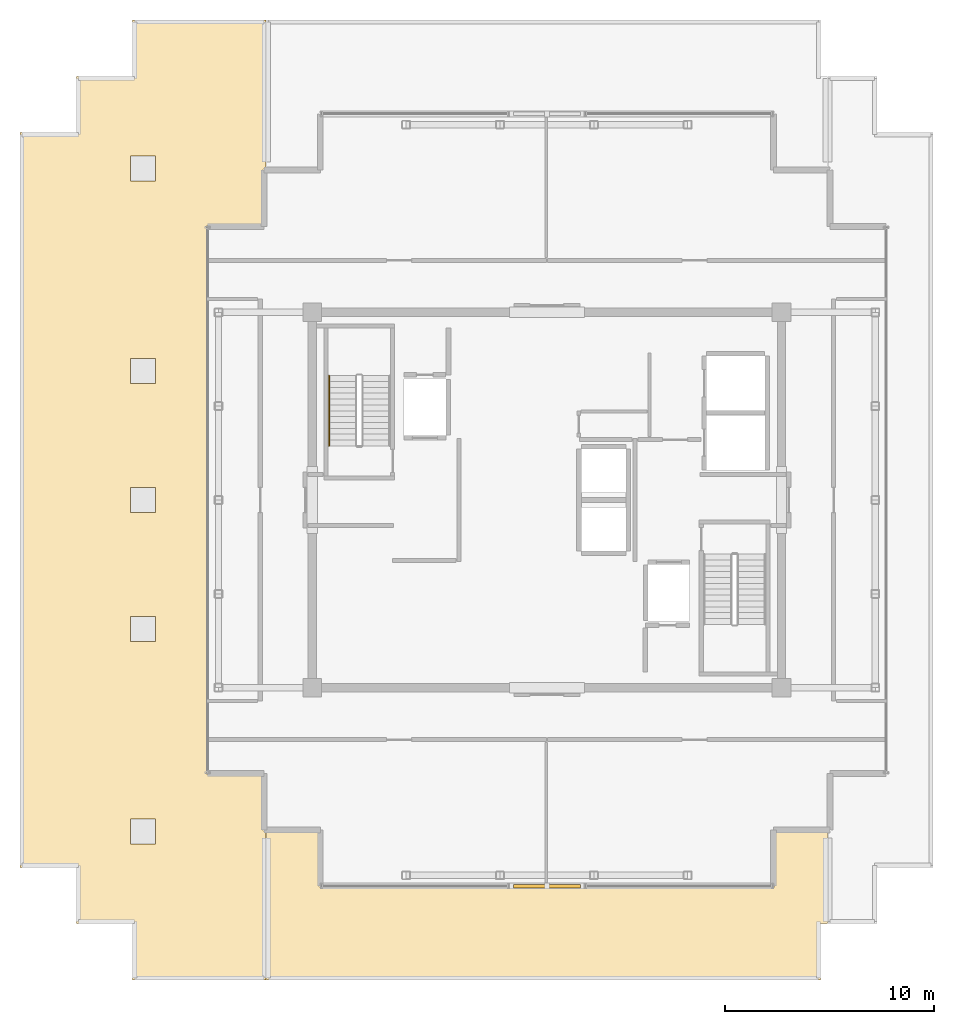
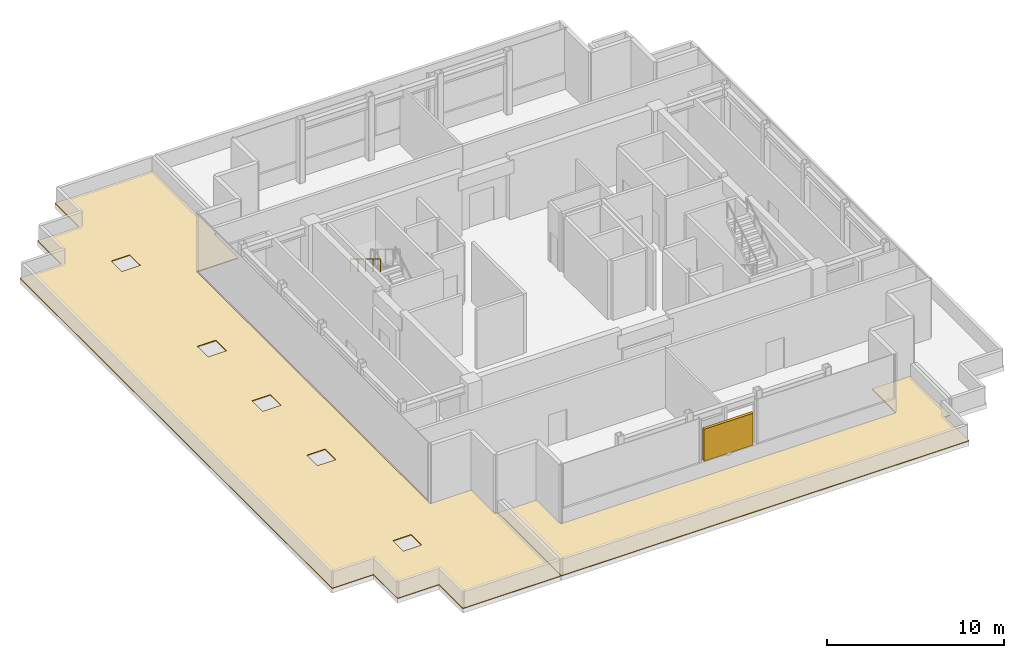
# One storey, part 12 of 14: 2 coverings, 1 railing, 1 shading device.
"""IFC4 building model written with IfcOpenShell, lengths in metres."""

import ifcopenshell
import ifcopenshell.guid

model = None  # the IFC model being written
_history = None  # IfcOwnerHistory: only IFC2X3 demands one
_inside = {}  # id of a spatial element -> (the spatial element, [elements in it])
_under = {}  # id of a project, library or spatial element -> (it, [spatial elements below it])
_declared = {}  # id of a project -> (the project, [libraries it declares])
_typed = {}  # id of a type object -> (the type object, [elements of that type])
_made_of = {}  # id of a material, layer set ... -> (it, [elements and type objects made of it])


def new_model(schema):
    """Start an empty IFC model of exactly this schema.

    Asked for "IFC4X3", IfcOpenShell would pick the latest addendum, in which some entities
    have other attributes; the version numbers below select the first issue.
    IFC2X3 requires an IfcOwnerHistory on every rooted entity: one is made here for all.
    """
    global model, _history
    if schema == "IFC4X3":
        model = ifcopenshell.file(schema_version=(4, 3, 0, 0))
    else:
        model = ifcopenshell.file(schema=schema)
    _inside.clear()
    _under.clear()
    _declared.clear()
    _typed.clear()
    _made_of.clear()
    _history = None
    if model.schema == "IFC2X3":
        org = make("IfcOrganization", Name="unknown")
        user = make(
            "IfcPersonAndOrganization",
            ThePerson=make("IfcPerson", FamilyName="unknown"),
            TheOrganization=org,
        )
        app = make(
            "IfcApplication",
            ApplicationDeveloper=org,
            Version="unknown",
            ApplicationFullName="unknown",
            ApplicationIdentifier="unknown",
        )
        _history = make(
            "IfcOwnerHistory",
            OwningUser=user,
            OwningApplication=app,
            ChangeAction="ADDED",
            CreationDate=0,
        )
    return model


def make(cls, **values):
    """One entity of the class cls with the attributes given. An attribute that is None is left unset."""
    return model.create_entity(
        cls, **{name: value for name, value in values.items() if value is not None}
    )


def rooted(cls, **values):
    """An entity with a GlobalId (a new one), such as an element, a storey or a relation."""
    return make(cls, GlobalId=ifcopenshell.guid.new(), OwnerHistory=_history, **values)


def si_unit(unit_type, name, prefix=None):
    """IfcSIUnit, for example si_unit("LENGTHUNIT", "METRE", prefix="MILLI")."""
    return make("IfcSIUnit", UnitType=unit_type, Prefix=prefix, Name=name)


def assignment(units):
    """IfcUnitAssignment: the units of a project."""
    return None if units is None else make("IfcUnitAssignment", Units=units)


def point(xyz):
    """IfcCartesianPoint."""
    return None if xyz is None else make("IfcCartesianPoint", Coordinates=xyz)


def direction(xyz):
    """IfcDirection."""
    return None if xyz is None else make("IfcDirection", DirectionRatios=xyz)


def frame(location, z_axis=None, x_axis=None):
    """IfcAxis2Placement3D, a coordinate frame: its origin and axes. An axis left out is left unset."""
    return make(
        "IfcAxis2Placement3D",
        Location=point(location),
        Axis=direction(z_axis),
        RefDirection=direction(x_axis),
    )


def frame_2d(location, x_axis=None):
    """IfcAxis2Placement2D, a coordinate frame in the plane: its origin and x axis."""
    return make(
        "IfcAxis2Placement2D", Location=point(location), RefDirection=direction(x_axis)
    )


def origin():
    """The frame at (0, 0, 0) with its axes left unset."""
    return frame((0.0, 0.0, 0.0))


def origin_2d():
    """The frame at (0, 0) in the plane with its x axis left unset."""
    return frame_2d((0.0, 0.0))


def place(relative_to, where):
    """IfcLocalPlacement: puts the frame where relative to a parent placement (None: the world)."""
    return make(
        "IfcLocalPlacement", PlacementRelTo=relative_to, RelativePlacement=where
    )


def context(
    kind, dimensions, precision=None, world=None, true_north=None, identifier=None
):
    """IfcGeometricRepresentationContext, for example the 3D "Model" context."""
    return make(
        "IfcGeometricRepresentationContext",
        ContextIdentifier=identifier,
        ContextType=kind,
        CoordinateSpaceDimension=dimensions,
        Precision=precision,
        WorldCoordinateSystem=world,
        TrueNorth=true_north,
    )


def subcontext(parent, identifier, kind, view, scale=None):
    """IfcGeometricRepresentationSubContext, for example "Body" below "Model"."""
    return make(
        "IfcGeometricRepresentationSubContext",
        ContextIdentifier=identifier,
        ContextType=kind,
        ParentContext=parent,
        TargetScale=scale,
        TargetView=view,
    )


def project(units=None, contexts=None):
    """IfcProject with its units and contexts."""
    return rooted(
        "IfcProject",
        Name="project",
        RepresentationContexts=contexts,
        UnitsInContext=assignment(units),
    )


def spatial(cls, under=None, at=None, **own):
    """A site, building, storey or space (cls), placed at a placement, below another one or the project."""
    s = rooted(cls, ObjectPlacement=at, **own)
    if under is not None:
        _under.setdefault(under.id(), (under, []))[1].append(s)
    return s


def polyline(points):
    """IfcPolyline through the points."""
    return make("IfcPolyline", Points=[point(p) for p in points])


def profile(cls, at=None, kind="AREA", **sizes):
    """A parametric profile (cls). Its sizes go by their IFC names, for example OverallWidth=200.0."""
    return make(cls, ProfileType=kind, Position=at, **sizes)


def rectangle(**sizes):
    """IfcRectangleProfileDef."""
    return profile("IfcRectangleProfileDef", **sizes)


def circle(**sizes):
    """IfcCircleProfileDef."""
    return profile("IfcCircleProfileDef", **sizes)


def outline(outer, holes=None, kind="AREA"):
    """IfcArbitraryClosedProfileDef: a profile drawn as a closed curve; with holes, ...WithVoids."""
    if holes is None:
        return make("IfcArbitraryClosedProfileDef", ProfileType=kind, OuterCurve=outer)
    return make(
        "IfcArbitraryProfileDefWithVoids",
        ProfileType=kind,
        OuterCurve=outer,
        InnerCurves=holes,
    )


def extrude(swept, where, along, depth):
    """IfcExtrudedAreaSolid: the profile swept, set in the frame where, extruded along a direction by depth."""
    return make(
        "IfcExtrudedAreaSolid",
        SweptArea=swept,
        Position=where,
        ExtrudedDirection=direction(along),
        Depth=depth,
    )


def shape(context_of_items, identifier, shape_type, items):
    """IfcShapeRepresentation: the items that make up one representation, for example the "Body"."""
    return make(
        "IfcShapeRepresentation",
        ContextOfItems=context_of_items,
        RepresentationIdentifier=identifier,
        RepresentationType=shape_type,
        Items=items,
    )


def source(mapping_origin, context_of_items, identifier, shape_type, items):
    """IfcRepresentationMap: a shape defined once, which mapped items show again and again."""
    return make(
        "IfcRepresentationMap",
        MappingOrigin=mapping_origin,
        MappedRepresentation=shape(context_of_items, identifier, shape_type, items),
    )


def transform(
    local_origin,
    x_axis=None,
    y_axis=None,
    z_axis=None,
    scale=None,
    scale2=None,
    scale3=None,
    uniform=True,
):
    """IfcCartesianTransformationOperator3D, or its non-uniform kind. x_axis, y_axis, z_axis: its Axis1, 2, 3."""
    if uniform:
        return make(
            "IfcCartesianTransformationOperator3D",
            Axis1=direction(x_axis),
            Axis2=direction(y_axis),
            LocalOrigin=point(local_origin),
            Scale=scale,
            Axis3=direction(z_axis),
        )
    return make(
        "IfcCartesianTransformationOperator3DnonUniform",
        Axis1=direction(x_axis),
        Axis2=direction(y_axis),
        LocalOrigin=point(local_origin),
        Scale=scale,
        Axis3=direction(z_axis),
        Scale2=scale2,
        Scale3=scale3,
    )


def mapped(mapping_source, mapping_target):
    """IfcMappedItem: shows the shape of a source again, moved by a transform."""
    return make(
        "IfcMappedItem", MappingSource=mapping_source, MappingTarget=mapping_target
    )


def material(Name=None, Category=None):
    """IfcMaterial."""
    return make("IfcMaterial", Name=Name, Category=Category)


def layer(
    of_material, thickness, ventilated=None, Name=None, Category=None, Priority=None
):
    """IfcMaterialLayer: one layer of a wall or slab, of a material (None: an air gap)."""
    return make(
        "IfcMaterialLayer",
        Material=of_material,
        LayerThickness=thickness,
        IsVentilated=ventilated,
        Name=Name,
        Category=Category,
        Priority=Priority,
    )


def layer_set(layers, Name=None):
    """IfcMaterialLayerSet."""
    return make("IfcMaterialLayerSet", MaterialLayers=layers, LayerSetName=Name)


def made_of(thing, what):
    """Note that an element or type object is made of a material, layer set ...; save() writes the relation."""
    if what is not None:
        _made_of.setdefault(what.id(), (what, []))[1].append(thing)
    return thing


def type_object(cls, material=None, **own):
    """A type object (cls), such as IfcWallType, which elements share."""
    return made_of(rooted(cls, **own), material)


def element(
    cls,
    number,
    at=None,
    inside=None,
    cuts=None,
    type_object=None,
    material=None,
    context=None,
    identifier="Body",
    shape_type=None,
    held_by="IfcProductDefinitionShape",
    body=None,
    shapes=None,
    **own,
):
    """One element of the class cls, such as IfcWall. Its Tag is "e" and its number.

    at: its placement. inside: the storey or other place that contains it. cuts: it is an
    opening in that element (IfcRelVoidsElement). A single representation is given by context,
    identifier, shape_type and body (its items); several are given by shapes. held_by: the class
    of the entity that holds the representations. save() writes the other relations.
    """
    e = rooted(cls, Tag="e%d" % number, ObjectPlacement=at, **own)
    if body is not None:
        shapes = [shape(context, identifier, shape_type, body)]
    if shapes is not None:
        e.Representation = make(held_by, Representations=shapes)
    if inside is not None:
        _inside.setdefault(inside.id(), (inside, []))[1].append(e)
    if cuts is not None:
        rooted(
            "IfcRelVoidsElement", RelatingBuildingElement=cuts, RelatedOpeningElement=e
        )
    if type_object is not None:
        _typed.setdefault(type_object.id(), (type_object, []))[1].append(e)
    return made_of(e, material)


def aggregate(whole, parts):
    """IfcRelAggregates: a whole, such as a stair, and the parts it consists of."""
    return rooted("IfcRelAggregates", RelatingObject=whole, RelatedObjects=parts)


def save(model, path):
    """Write the relations noted so far, then the file.

    IfcRelAggregates (storeys below a building ...), IfcRelContainedInSpatialStructure (elements
    in a storey), IfcRelDefinesByType, IfcRelAssociatesMaterial and IfcRelDeclares: one each for
    every whole, place, type object, material and project.
    """
    for whole, parts in _under.values():
        aggregate(whole, parts)
    for where, things in _inside.values():
        rooted(
            "IfcRelContainedInSpatialStructure",
            RelatedElements=things,
            RelatingStructure=where,
        )
    for kind, things in _typed.values():
        rooted("IfcRelDefinesByType", RelatedObjects=things, RelatingType=kind)
    for what, things in _made_of.values():
        rooted("IfcRelAssociatesMaterial", RelatedObjects=things, RelatingMaterial=what)
    for by, libraries in _declared.values():
        rooted("IfcRelDeclares", RelatingContext=by, RelatedDefinitions=libraries)
    model.write(path)


model = new_model("IFC4")

# Units and contexts
model_context = context("Model", 3, precision=1e-05, world=origin(), true_north=direction((0.0, 1.0)))
body_context = subcontext(model_context, "Body", "Model", "MODEL_VIEW")
ifc_project = project(units=[si_unit("LENGTHUNIT", "METRE"), si_unit("AREAUNIT", "SQUARE_METRE"), si_unit("VOLUMEUNIT", "CUBIC_METRE"), si_unit("PLANEANGLEUNIT", "RADIAN"), si_unit("MASSUNIT", "GRAM", prefix="KILO")], contexts=[model_context])

# Site, building, storey
site_placement = place(None, origin())
site = spatial("IfcSite", under=ifc_project, at=site_placement, CompositionType="ELEMENT")
building_placement = place(site_placement, origin())
building = spatial("IfcBuilding", under=site, at=building_placement, Name="Nefas-Gora Pilgrimage Tower", CompositionType="ELEMENT")
storey_placement = place(building_placement, frame((0.0, 0.0, 358.60009765625)))
storey = spatial("IfcBuildingStorey", under=building, at=storey_placement, Name="L90", CompositionType="ELEMENT", Elevation=358.60009765625)

# Coverings
ifc_material_1 = material(Name="Elastomeric waterproof insulated roof membrane")
ifc_layer = layer(ifc_material_1, 0.06005859375)
ifc_layer_set = layer_set([ifc_layer], Name="Elastomeric waterproof insulated roof membrane")
covering_type = type_object("IfcCoveringType", Name="COV-ROOF-MEMB", PredefinedType="ROOFING", material=ifc_layer_set)
covering_1_placement = place(storey_placement, origin())
element("IfcCovering", 1, at=covering_1_placement, inside=storey, type_object=covering_type, Name="L90 Maintenance Roof Elastomeric Membrane 1", PredefinedType="ROOFING", context=body_context, shape_type="SweptSolid", body=[
    extrude(outline(polyline([(-13.469970703125, -23.02001953125), (-13.469970703125, -15.8701171875), (-13.570068359375, -15.8701171875), (-13.574951171875, -15.869873046875), (-13.579833984375, -15.868896484375), (-13.58447265625, -15.867919921875), (-13.589111328125, -15.8662109375), (-13.593505859375, -15.864013671875), (-13.597900390625, -15.861572265625), (-13.601806640625, -15.858642578125), (-13.60546875, -15.85546875), (-13.608642578125, -15.851806640625), (-13.611572265625, -15.847900390625), (-13.614013671875, -15.843505859375), (-13.6162109375, -15.839111328125), (-13.617919921875, -15.83447265625), (-13.618896484375, -15.829833984375), (-13.619873046875, -15.824951171875), (-13.6201171875, -15.820068359375), (-13.6201171875, -13.169921875), (-16.27001953125, -13.169921875), (-16.27490234375, -13.169921875), (-16.27978515625, -13.1689453125), (-16.284423828125, -13.167724609375), (-16.2890625, -13.166259765625), (-16.293701171875, -13.1640625), (-16.2978515625, -13.16162109375), (-16.3017578125, -13.15869140625), (-16.305419921875, -13.155517578125), (-16.30859375, -13.151611328125), (-16.3115234375, -13.147705078125), (-16.314208984375, -13.1435546875), (-16.316162109375, -13.13916015625), (-16.31787109375, -13.134521484375), (-16.319091796875, -13.1298828125), (-16.31982421875, -13.125), (-16.320068359375, -13.1201171875), (-16.320068359375, 13.1201171875), (-16.31982421875, 13.125), (-16.319091796875, 13.1298828125), (-16.31787109375, 13.134521484375), (-16.316162109375, 13.13916015625), (-16.314208984375, 13.1435546875), (-16.3115234375, 13.147705078125), (-16.30859375, 13.151611328125), (-16.305419921875, 13.155517578125), (-16.3017578125, 13.15869140625), (-16.2978515625, 13.16162109375), (-16.293701171875, 13.1640625), (-16.2890625, 13.166259765625), (-16.284423828125, 13.167724609375), (-16.27978515625, 13.1689453125), (-16.27490234375, 13.169921875), (-16.27001953125, 13.169921875), (-13.6201171875, 13.169921875), (-13.6201171875, 15.820068359375), (-13.619873046875, 15.824951171875), (-13.618896484375, 15.829833984375), (-13.617919921875, 15.83447265625), (-13.6162109375, 15.839111328125), (-13.614013671875, 15.843505859375), (-13.611572265625, 15.847900390625), (-13.608642578125, 15.851806640625), (-13.60546875, 15.85546875), (-13.601806640625, 15.858642578125), (-13.597900390625, 15.861572265625), (-13.593505859375, 15.864013671875), (-13.589111328125, 15.8662109375), (-13.58447265625, 15.867919921875), (-13.579833984375, 15.868896484375), (-13.574951171875, 15.869873046875), (-13.570068359375, 15.8701171875), (-13.469970703125, 15.8701171875), (-13.469970703125, 23.02001953125), (-19.8701171875, 23.02001953125), (-19.8701171875, 20.320068359375), (-22.570068359375, 20.320068359375), (-22.570068359375, 17.6201171875), (-25.27001953125, 17.6201171875), (-25.27001953125, -17.6201171875), (-22.570068359375, -17.6201171875), (-22.570068359375, -20.320068359375), (-19.8701171875, -20.320068359375), (-19.8701171875, -23.02001953125), (-13.469970703125, -23.02001953125)]), holes=[polyline([(-19.969970703125, -16.489990234375), (-19.969970703125, -15.2900390625), (-18.77001953125, -15.2900390625), (-18.77001953125, -16.489990234375), (-19.969970703125, -16.489990234375)]), polyline([(-19.969970703125, -6.780029296875), (-19.969970703125, -5.580078125), (-18.77001953125, -5.580078125), (-18.77001953125, -6.780029296875), (-19.969970703125, -6.780029296875)]), polyline([(-19.969970703125, 5.580078125), (-19.969970703125, 6.780029296875), (-18.77001953125, 6.780029296875), (-18.77001953125, 5.580078125), (-19.969970703125, 5.580078125)]), polyline([(-19.969970703125, 15.2900390625), (-19.969970703125, 16.489990234375), (-18.77001953125, 16.489990234375), (-18.77001953125, 15.2900390625), (-19.969970703125, 15.2900390625)]), polyline([(-19.969970703125, -0.60009765625), (-19.969970703125, 0.60009765625), (-18.77001953125, 0.60009765625), (-18.77001953125, -0.60009765625), (-19.969970703125, -0.60009765625)])]), origin(), (0.0, 0.0, 1.0), 0.059814453125),
])
covering_2_placement = place(storey_placement, origin())
element("IfcCovering", 2, at=covering_2_placement, inside=storey, type_object=covering_type, Name="L90 Maintenance Roof Elastomeric Membrane 4", PredefinedType="ROOFING", context=body_context, shape_type="SweptSolid", body=[
    extrude(outline(polyline([(13.449951171875, -20.320068359375), (13.449951171875, -15.8701171875), (10.919921875, -15.8701171875), (10.919921875, -18.52001953125), (10.919921875, -18.52490234375), (10.9189453125, -18.52978515625), (10.917724609375, -18.534423828125), (10.916259765625, -18.5390625), (10.9140625, -18.543701171875), (10.91162109375, -18.5478515625), (10.90869140625, -18.5517578125), (10.905517578125, -18.555419921875), (10.901611328125, -18.55859375), (10.897705078125, -18.5615234375), (10.8935546875, -18.564208984375), (10.88916015625, -18.566162109375), (10.884521484375, -18.56787109375), (10.8798828125, -18.569091796875), (10.875, -18.56982421875), (10.8701171875, -18.570068359375), (-10.8701171875, -18.570068359375), (-10.875, -18.56982421875), (-10.8798828125, -18.569091796875), (-10.884521484375, -18.56787109375), (-10.88916015625, -18.566162109375), (-10.8935546875, -18.564208984375), (-10.897705078125, -18.5615234375), (-10.901611328125, -18.55859375), (-10.905517578125, -18.555419921875), (-10.90869140625, -18.5517578125), (-10.91162109375, -18.5478515625), (-10.9140625, -18.543701171875), (-10.916259765625, -18.5390625), (-10.917724609375, -18.534423828125), (-10.9189453125, -18.52978515625), (-10.919921875, -18.52490234375), (-10.919921875, -18.52001953125), (-10.919921875, -15.8701171875), (-13.449951171875, -15.8701171875), (-13.449951171875, -23.02001953125), (13.1201171875, -23.02001953125), (13.1201171875, -20.320068359375), (13.449951171875, -20.320068359375)])), origin(), (0.0, 0.0, 1.0), 0.059814453125),
])

# Railing
ifc_material_2 = material(Name="Brushed stainless steel", Category="steel")
railing_type = type_object("IfcRailingType", Name="RLG-STR-HAND-900", PredefinedType="HANDRAIL", material=ifc_material_2)
railing_placement = place(storey_placement, frame((-10.449951171875, 5.9599609375, 2.369140625)))
element("IfcRailing", 3, at=railing_placement, inside=storey, type_object=railing_type, Name="L90 ST-01 stair handrail 2", PredefinedType="HANDRAIL", context=body_context, shape_type="SweptSolid", body=[
    extrude(circle(Radius=0.02392578125, at=origin_2d()), frame((0.0, 0.0, 0.8759765625), z_axis=(0.0, -0.855820338506, 0.51727318527), x_axis=(1.0, 0.0, 0.0)), (0.0, 0.0, 1.0), 3.92578125),
    extrude(circle(Radius=0.02099609375, at=origin_2d()), origin(), (0.0, 0.0, 1.0), 0.851806640625),
    extrude(circle(Radius=0.02099609375, at=origin_2d()), frame((0.0, -0.83984375, 0.5078125)), (0.0, 0.0, 1.0), 0.851806640625),
    extrude(circle(Radius=0.02099609375, at=origin_2d()), frame((0.0, -1.679931640625, 1.015380859375)), (0.0, 0.0, 1.0), 0.851806640625),
    extrude(circle(Radius=0.02099609375, at=origin_2d()), frame((0.0, -2.52001953125, 1.52294921875)), (0.0, 0.0, 1.0), 0.851806640625),
    extrude(circle(Radius=0.02099609375, at=origin_2d()), frame((0.0, -3.35986328125, 2.03076171875)), (0.0, 0.0, 1.0), 0.851806640625),
])

# Shading device
ifc_material_3 = material(Name="Perforated dark-bronze aluminium weather screen", Category="aluminium")
shading_device_type = type_object("IfcShadingDeviceType", Name="SHD-SCREEN-SHUT", PredefinedType="SHUTTER", material=ifc_material_3)
shared_shape = source(origin(), body_context, "Body", "SweptSolid", [
    extrude(rectangle(XDim=3.199951171875, YDim=0.179931640625, at=origin_2d()), origin(), (0.0, 0.0, 1.0), 2.199951171875),
])
shading_device_placement = place(storey_placement, frame((0.0, -18.52001953125, 1.10009765625), z_axis=(0.0, 0.0, 1.0), x_axis=(1.0, 0.0, 0.0)))
element("IfcShadingDevice", 4, at=shading_device_placement, inside=storey, type_object=shading_device_type, Name="L90 High-Altitude Storm Louvre Assembly 14", PredefinedType="SHUTTER", context=body_context, shape_type="MappedRepresentation", body=[
    mapped(shared_shape, transform((0.0, 0.0, 0.0), x_axis=(1.0, 0.0, 0.0), y_axis=(0.0, 1.0, 0.0), z_axis=(0.0, 0.0, 1.0), scale=1.0)),
])

save(model, "model.ifc")
